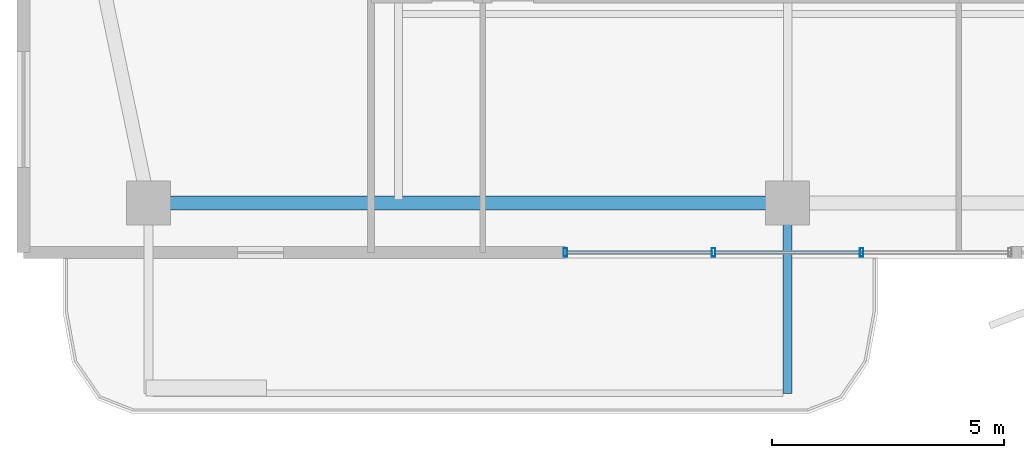
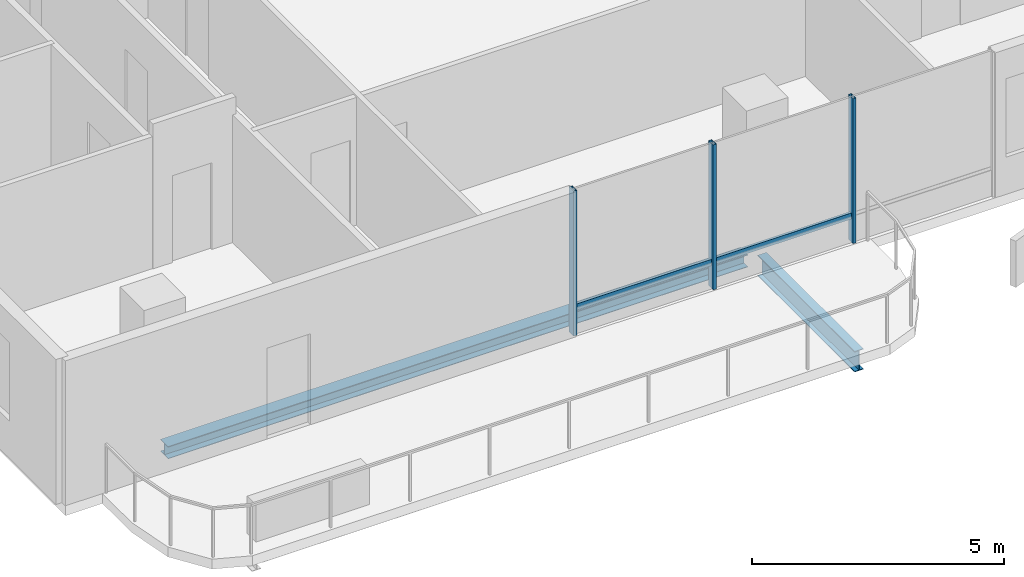
# One storey, part 2 of 17: 5 members, 2 beams, 1 element without a shape of its own.
"""IFC4 building model written with IfcOpenShell, lengths in metres."""

from ifc_helpers import new_model, si_unit, direction, frame, origin, origin_2d, place, context, subcontext, project, spatial, hollow_rectangle, i_section, extrude, material, layer, layer_set, material_profile, profile_set, type_object, element, aggregate, save


model = new_model("IFC4")

# Units and contexts
model_context = context("Model", 3, precision=1e-05, world=origin(), true_north=direction((0.0, 1.0)))
body_context = subcontext(model_context, "Body", "Model", "MODEL_VIEW")
ifc_project = project(units=[si_unit("LENGTHUNIT", "METRE"), si_unit("AREAUNIT", "SQUARE_METRE"), si_unit("VOLUMEUNIT", "CUBIC_METRE"), si_unit("PLANEANGLEUNIT", "RADIAN"), si_unit("MASSUNIT", "GRAM", prefix="KILO")], contexts=[model_context])

# Site, building, storey
site_placement = place(None, origin())
site = spatial("IfcSite", under=ifc_project, at=site_placement, CompositionType="ELEMENT")
building_placement = place(site_placement, origin())
building = spatial("IfcBuilding", under=site, at=building_placement, Name="Belovzor Exchange Tower", CompositionType="ELEMENT")
storey_placement = place(building_placement, frame((0.0, 0.0, 325.5)))
storey = spatial("IfcBuildingStorey", under=building, at=storey_placement, Name="L81", CompositionType="ELEMENT", Elevation=325.5)

# Beam
ifc_material_1 = material(Name="Steel S355", Category="steel")
ifc_material_profile_1 = material_profile(ifc_material_1, i_section(OverallWidth=0.199951171875, OverallDepth=0.5, WebThickness=0.01025390625, FlangeThickness=0.01611328125, at=origin_2d()))
ifc_profile_set_1 = profile_set([ifc_material_profile_1], Name="Steel S355")
beam_type_1 = type_object("IfcBeamType", Name="Planted Balcony Cantilever Beam IPE 500", PredefinedType="BEAM", material=ifc_profile_set_1)
beam_1_placement = place(storey_placement, frame((28.800048828125, 6.93896484375, -0.489990234375), z_axis=(0.0, -1.0, 0.0), x_axis=(1.0, 0.0, 0.0)))
element("IfcBeam", 1, at=beam_1_placement, inside=storey, type_object=beam_type_1, Name="BC-500 Planted Balcony Cantilever Beam IPE 500", PredefinedType="BEAM", context=body_context, shape_type="SweptSolid", body=[
    extrude(i_section(OverallWidth=0.199951171875, OverallDepth=0.5, WebThickness=0.01025390625, FlangeThickness=0.01611328125, at=origin_2d()), origin(), (0.0, 0.0, 1.0), 3.849853515625),
])

# Curtain wall, members
ifc_material_2 = material(Name="Anodised Aluminium Framing", Category="aluminium")
ifc_layer = layer(ifc_material_2, 0.179931640625)
ifc_layer_set = layer_set([ifc_layer], Name="Anodised Aluminium Framing")
curtain_wall_type = type_object("IfcCurtainWallType", Name="Recessed Loggia Low-Iron Triple-Glazed Curtain Wall", PredefinedType="NOTDEFINED", material=ifc_layer_set)
curtain_wall_placement = place(storey_placement, origin())
curtain_wall = element("IfcCurtainWall", 2, at=curtain_wall_placement, inside=storey, type_object=curtain_wall_type, Name="CW3 Recessed Loggia Low-Iron Triple-Glazed Curtain Wall L81", PredefinedType="NOTDEFINED")
ifc_material_3 = material(Name="Steel S355", Category="steel")
ifc_material_profile_2 = material_profile(ifc_material_3, hollow_rectangle(XDim=0.074951171875, YDim=0.179931640625, WallThickness=0.0048828125, at=origin_2d()))
ifc_profile_set_2 = profile_set([ifc_material_profile_2], Name="Steel S355")
member_type_1 = type_object("IfcMemberType", Name="Thermally Broken Curtain Wall Mullion 180x75", PredefinedType="MULLION", material=ifc_profile_set_2)
member_1_placement = place(storey_placement, frame((30.39990234375, 6.1298828125, 0.0), z_axis=(0.0, 0.0, 1.0), x_axis=(-1.0, 0.0, 0.0)))
member_1 = element("IfcMember", 3, at=member_1_placement, type_object=member_type_1, Name="CW-M180 Curtain Wall Mullion 2", PredefinedType="MULLION", context=body_context, shape_type="SweptSolid", body=[
    extrude(hollow_rectangle(XDim=0.074951171875, YDim=0.179931640625, WallThickness=0.0048828125, at=origin_2d()), origin(), (0.0, 0.0, 1.0), 3.510009765625),
])
member_2_placement = place(storey_placement, frame((27.199951171875, 6.1298828125, 0.0), z_axis=(0.0, 0.0, 1.0), x_axis=(-1.0, 0.0, 0.0)))
member_2 = element("IfcMember", 4, at=member_2_placement, type_object=member_type_1, Name="CW-M180 Curtain Wall Mullion 3", PredefinedType="MULLION", context=body_context, shape_type="SweptSolid", body=[
    extrude(hollow_rectangle(XDim=0.074951171875, YDim=0.179931640625, WallThickness=0.0048828125, at=origin_2d()), origin(), (0.0, 0.0, 1.0), 3.510009765625),
])
member_3_placement = place(storey_placement, frame((24.0, 6.1298828125, 0.0), z_axis=(0.0, 0.0, 1.0), x_axis=(-1.0, 0.0, 0.0)))
member_3 = element("IfcMember", 5, at=member_3_placement, type_object=member_type_1, Name="CW-M180 Curtain Wall Mullion 4", PredefinedType="MULLION", context=body_context, shape_type="SweptSolid", body=[
    extrude(hollow_rectangle(XDim=0.074951171875, YDim=0.179931640625, WallThickness=0.0048828125, at=origin_2d()), origin(), (0.0, 0.0, 1.0), 3.510009765625),
])
ifc_material_4 = material(Name="Steel S355", Category="steel")
ifc_material_profile_3 = material_profile(ifc_material_4, hollow_rectangle(XDim=0.06005859375, YDim=0.14990234375, WallThickness=0.00390625, at=origin_2d()))
ifc_profile_set_3 = profile_set([ifc_material_profile_3], Name="Steel S355")
member_type_2 = type_object("IfcMemberType", Name="Thermally Broken Curtain Wall Transom 150x60", PredefinedType="USERDEFINED", material=ifc_profile_set_3)
member_4_placement = place(storey_placement, frame((30.39208984375, 6.1298828125, 0.632080078125), z_axis=(-1.0, 0.0, 0.0), x_axis=(0.0, -1.0, 0.0)))
member_4 = element("IfcMember", 6, at=member_4_placement, type_object=member_type_2, Name="CW-T150 Curtain Wall Transom 2", ObjectType="TRANSOM", PredefinedType="USERDEFINED", context=body_context, shape_type="SweptSolid", body=[
    extrude(hollow_rectangle(XDim=0.06005859375, YDim=0.14990234375, WallThickness=0.00390625, at=origin_2d()), origin(), (0.0, 0.0, 1.0), 3.18408203125),
])
member_5_placement = place(storey_placement, frame((27.19189453125, 6.1298828125, 0.632080078125), z_axis=(-1.0, 0.0, 0.0), x_axis=(0.0, -1.0, 0.0)))
member_5 = element("IfcMember", 7, at=member_5_placement, type_object=member_type_2, Name="CW-T150 Curtain Wall Transom 3", ObjectType="TRANSOM", PredefinedType="USERDEFINED", context=body_context, shape_type="SweptSolid", body=[
    extrude(hollow_rectangle(XDim=0.06005859375, YDim=0.14990234375, WallThickness=0.00390625, at=origin_2d()), origin(), (0.0, 0.0, 1.0), 3.183837890625),
])
aggregate(curtain_wall, [member_1, member_2, member_3, member_4, member_5])

# Beam
ifc_material_5 = material(Name="Steel S355", Category="steel")
ifc_material_profile_4 = material_profile(ifc_material_5, i_section(OverallWidth=0.300048828125, OverallDepth=0.300048828125, WebThickness=0.008544921875, FlangeThickness=0.013916015625, at=origin_2d()))
ifc_profile_set_4 = profile_set([ifc_material_profile_4], Name="Steel S355")
beam_type_2 = type_object("IfcBeamType", Name="Zone 6 Primary Girder HEA 300", PredefinedType="BEAM", material=ifc_profile_set_4)
beam_2_placement = place(storey_placement, frame((15.260986328125, 7.199951171875, -0.389892578125), z_axis=(1.0, 0.0, 0.0), x_axis=(0.0, 1.0, 0.0)))
element("IfcBeam", 8, at=beam_2_placement, inside=storey, type_object=beam_type_2, Name="FG-Z6 Zone 6 Primary Girder HEA 300", PredefinedType="BEAM", context=body_context, shape_type="SweptSolid", body=[
    extrude(i_section(OverallWidth=0.300048828125, OverallDepth=0.300048828125, WebThickness=0.008544921875, FlangeThickness=0.013916015625, at=origin_2d()), origin(), (0.0, 0.0, 1.0), 13.278076171875),
])

save(model, "model.ifc")
